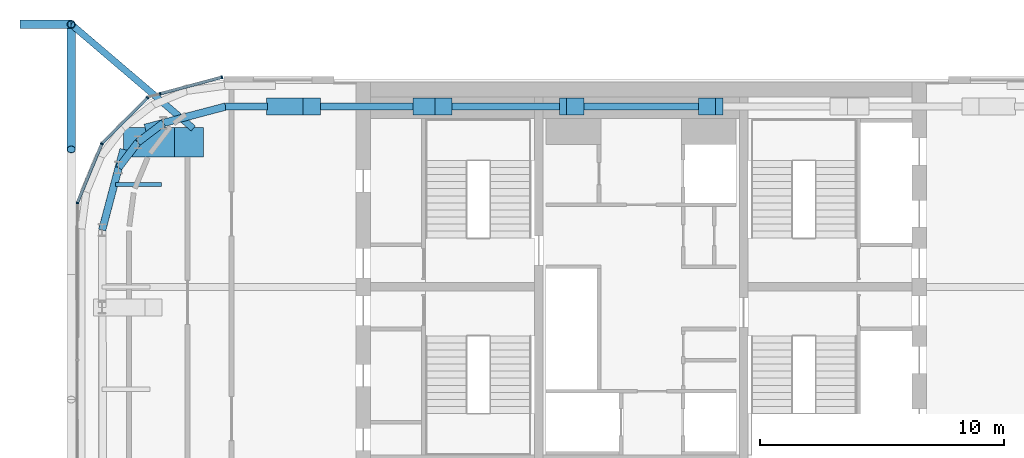
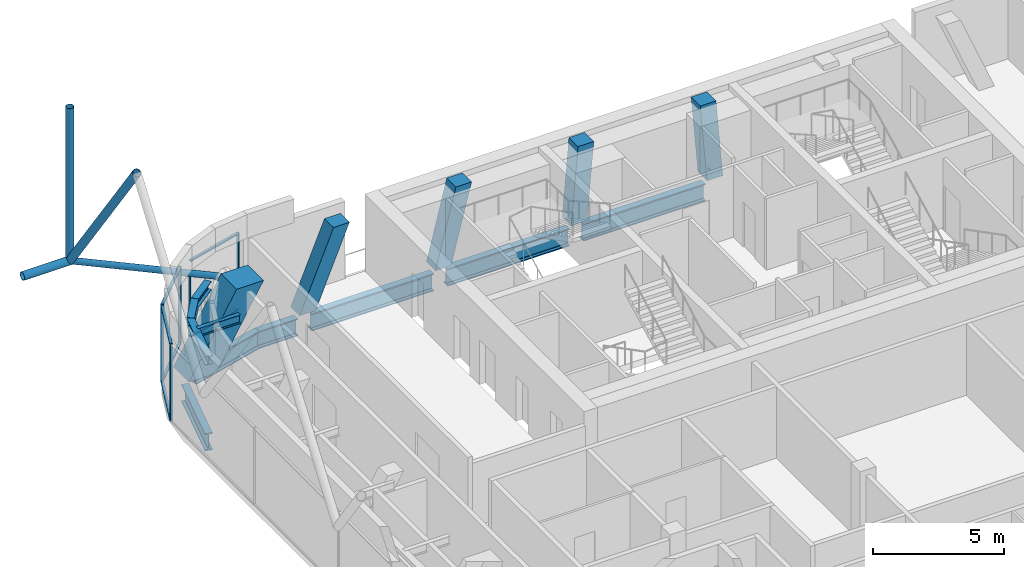
# One storey, part 10 of 25: 20 members, 10 beams, 5 elements without a shape of their own.
"""IFC4 building model written with IfcOpenShell, lengths in metres."""

from ifc_helpers import new_model, si_unit, direction, frame, origin, origin_2d, place, context, subcontext, project, spatial, rectangle, hollow_circle, i_section, extrude, material, layer, layer_set, material_profile, profile_set, type_object, element, aggregate, save


model = new_model("IFC4")

# Units and contexts
model_context = context("Model", 3, precision=1e-05, world=origin(), true_north=direction((0.0, 1.0)))
body_context = subcontext(model_context, "Body", "Model", "MODEL_VIEW")
ifc_project = project(units=[si_unit("LENGTHUNIT", "METRE"), si_unit("AREAUNIT", "SQUARE_METRE"), si_unit("VOLUMEUNIT", "CUBIC_METRE"), si_unit("PLANEANGLEUNIT", "RADIAN"), si_unit("MASSUNIT", "GRAM", prefix="KILO")], contexts=[model_context])

# Site, building, storey
site_placement = place(None, origin())
site = spatial("IfcSite", under=ifc_project, at=site_placement, CompositionType="ELEMENT")
building_placement = place(site_placement, origin())
building = spatial("IfcBuilding", under=site, at=building_placement, Name="Marenta Gate Hotel Tower", CompositionType="ELEMENT")
storey_placement = place(building_placement, frame((0.0, 0.0, 277.699951171875)))
storey = spatial("IfcBuildingStorey", under=building, at=storey_placement, Name="L64", CompositionType="ELEMENT", Elevation=277.699951171875)

# Members
ifc_material_1 = material(Name="Steel S355J2W", Category="steel")
ifc_material_profile_1 = material_profile(ifc_material_1, hollow_circle(Radius=0.161865234375, WallThickness=0.012451171875, at=origin_2d()), Name="CHS 323.9x12.5")
ifc_profile_set_1 = profile_set([ifc_material_profile_1], Name="Steel S355J2W")
member_type_1 = type_object("IfcMemberType", Name="Diagrid corner post C CHS 323.9x12.5", PredefinedType="POST", material=ifc_profile_set_1)
member_1_placement = place(storey_placement, frame((-23.3701171875, 19.169921875, 3.14013671875), z_axis=(0.0, 0.0, 1.0), x_axis=(1.0, 0.0, 0.0)))
element("IfcMember", 1, at=member_1_placement, inside=storey, type_object=member_type_1, Name="L64-DR-12", PredefinedType="POST", context=body_context, shape_type="SweptSolid", body=[
    extrude(hollow_circle(Radius=0.161865234375, WallThickness=0.012451171875, at=origin_2d()), origin(), (0.0, 0.0, 1.0), 7.199951171875),
])
ifc_material_2 = material(Name="Steel S355J2W", Category="steel")
ifc_material_profile_2 = material_profile(ifc_material_2, hollow_circle(Radius=0.177734375, WallThickness=0.01611328125, at=origin_2d()), Name="CHS 355.6x16")
ifc_profile_set_2 = profile_set([ifc_material_profile_2], Name="Steel S355J2W")
member_type_2 = type_object("IfcMemberType", Name="Diagrid diagonal C CHS 355.6x16", PredefinedType="BRACE", material=ifc_profile_set_2)
member_2_placement = place(storey_placement, frame((-23.3701171875, 19.169921875, 3.14013671875), z_axis=(0.0, -0.580213650922, 0.81446431431), x_axis=(1.0, 0.0, 0.0)))
element("IfcMember", 2, at=member_2_placement, inside=storey, type_object=member_type_2, Name="L64-DG-34", PredefinedType="BRACE", context=body_context, shape_type="SweptSolid", body=[
    extrude(hollow_circle(Radius=0.177734375, WallThickness=0.01611328125, at=origin_2d()), origin(), (0.0, 0.0, 1.0), 8.840087890625),
])

# Beams
ifc_material_3 = material(Name="Steel S355", Category="steel")
ifc_material_profile_3 = material_profile(ifc_material_3, i_section(OverallWidth=0.302978515625, OverallDepth=0.81396484375, WebThickness=0.030029296875, FlangeThickness=0.052001953125, FilletRadius=0.030029296875, at=origin_2d()), Name="HEM 800")
ifc_profile_set_3 = profile_set([ifc_material_profile_3], Name="Steel S355")
beam_type_1 = type_object("IfcBeamType", Name="Edge beam HEM 800", PredefinedType="SPANDREL", material=ifc_profile_set_3)
for number, where, z_axis, x_axis, name in (
    (3, (-22.10009765625, 10.734375, -0.6669921875), (0.255659169039, 0.966766977759, 0.0), (-0.966766977759, 0.255659169039, 0.0), "L64-EB-11"),
    (4, (-20.34228515625, 14.92529296875, -0.6669921875), (0.966766977759, 0.255659169039, 0.0), (-0.255659169039, 0.966766977759, 0.0), "L64-EB-12"),
):
    element("IfcBeam", number, at=place(storey_placement, frame(where, z_axis=z_axis, x_axis=x_axis)), inside=storey, type_object=beam_type_1, Name=name, PredefinedType="SPANDREL", context=body_context, shape_type="SweptSolid", body=[
        extrude(i_section(OverallWidth=0.302978515625, OverallDepth=0.81396484375, WebThickness=0.030029296875, FlangeThickness=0.052001953125, FilletRadius=0.030029296875, at=origin_2d()), origin(), (0.0, 0.0, 1.0), 3.421630859375),
    ])
beam_1_placement = place(storey_placement, frame((-17.034423828125, 15.800048828125, -0.6669921875), z_axis=(1.0, 0.0, 0.0), x_axis=(0.0, 1.0, 0.0)))
element("IfcBeam", 5, at=beam_1_placement, inside=storey, type_object=beam_type_1, Name="L64-EB-13", PredefinedType="SPANDREL", context=body_context, shape_type="SweptSolid", body=[
    extrude(i_section(OverallWidth=0.302978515625, OverallDepth=0.81396484375, WebThickness=0.030029296875, FlangeThickness=0.052001953125, FilletRadius=0.030029296875, at=origin_2d()), origin(), (0.0, 0.0, 1.0), 1.717529296875),
])
for number, where, z_axis, x_axis, name in (
    (6, (-14.697021484375, 15.800048828125, -0.6669921875), (1.0, 0.0, 0.0), (0.0, 1.0, 0.0), "L64-EB-14"),
    (7, (-8.694091796875, 15.800048828125, -0.6669921875), (1.0, 0.0, 0.0), (0.0, 1.0, 0.0), "L64-EB-15"),
    (8, (-2.69140625, 15.800048828125, -0.6669921875), (1.0, 0.0, 0.0), (0.0, 1.0, 0.0), "L64-EB-16"),
):
    element("IfcBeam", number, at=place(storey_placement, frame(where, z_axis=z_axis, x_axis=x_axis)), inside=storey, type_object=beam_type_1, Name=name, PredefinedType="SPANDREL", context=body_context, shape_type="SweptSolid", body=[
        extrude(i_section(OverallWidth=0.302978515625, OverallDepth=0.81396484375, WebThickness=0.030029296875, FlangeThickness=0.052001953125, FilletRadius=0.030029296875, at=origin_2d()), origin(), (0.0, 0.0, 1.0), 5.3828125),
    ])

# Members
ifc_material_4 = material(Name="Concrete C50", Category="concrete")
ifc_material_profile_4 = material_profile(ifc_material_4, rectangle(XDim=0.699951171875, YDim=0.699951171875, at=origin_2d()), Name="700 x 700")
ifc_profile_set_4 = profile_set([ifc_material_profile_4], Name="Concrete C50")
member_type_3 = type_object("IfcMemberType", Name="Edge column raked 700 x 700 C50", PredefinedType="STRUT", material=ifc_profile_set_4)
member_3_placement = place(storey_placement, frame((-15.0068359375, 15.800048828125, 0.0), z_axis=(0.0, 0.0, 1.0), x_axis=(1.0, 0.0, 0.0)))
element("IfcMember", 9, at=member_3_placement, inside=storey, type_object=member_type_3, Name="L64-EC-NW-NE-1", PredefinedType="STRUT", context=body_context, shape_type="SweptSolid", body=[
    extrude(rectangle(XDim=0.699951171875, YDim=0.699951171875, at=origin_2d()), origin(), (0.384606494839, 0.0, 0.9230806271), 3.900146484375),
])
member_4_placement = place(storey_placement, frame((-9.004150390625, 15.800048828125, 0.0), z_axis=(0.0, 0.0, 1.0), x_axis=(1.0, 0.0, 0.0)))
element("IfcMember", 10, at=member_4_placement, inside=storey, type_object=member_type_3, Name="L64-EC-NW-NE-2", PredefinedType="STRUT", context=body_context, shape_type="SweptSolid", body=[
    extrude(rectangle(XDim=0.699951171875, YDim=0.699951171875, at=origin_2d()), origin(), (0.242566584767, 0.0, 0.970134759688), 3.7109375),
])
member_5_placement = place(storey_placement, frame((-3.00146484375, 15.800048828125, 0.0), z_axis=(0.0, 0.0, 1.0), x_axis=(1.0, 0.0, 0.0)))
element("IfcMember", 11, at=member_5_placement, inside=storey, type_object=member_type_3, Name="L64-EC-NW-NE-3", PredefinedType="STRUT", context=body_context, shape_type="SweptSolid", body=[
    extrude(rectangle(XDim=0.699951171875, YDim=0.699951171875, at=origin_2d()), origin(), (0.083056665618, 0.0, 0.996544826035), 3.612548828125),
])
member_6_placement = place(storey_placement, frame((3.00146484375, 15.800048828125, 0.0), z_axis=(0.0, 0.0, 1.0), x_axis=(1.0, 0.0, 0.0)))
element("IfcMember", 12, at=member_6_placement, inside=storey, type_object=member_type_3, Name="L64-EC-NW-NE-4", PredefinedType="STRUT", context=body_context, shape_type="SweptSolid", body=[
    extrude(rectangle(XDim=0.699951171875, YDim=0.699951171875, at=origin_2d()), origin(), (-0.083056665618, 0.0, 0.996544826035), 3.612548828125),
])
ifc_material_5 = material(Name="Steel S355J2W", Category="steel")
ifc_material_profile_5 = material_profile(ifc_material_5, hollow_circle(Radius=0.136474609375, WallThickness=0.012451171875, at=origin_2d()), Name="CHS 273x12.5")
ifc_profile_set_5 = profile_set([ifc_material_profile_5], Name="Steel S355J2W")
member_type_4 = type_object("IfcMemberType", Name="Floor tie CHS 273x12.5", PredefinedType="STRUT", material=ifc_profile_set_5)
member_7_placement = place(storey_placement, frame((-23.3701171875, 19.169921875, 3.14013671875), z_axis=(0.760734272891, -0.649063453022, 0.0), x_axis=(0.649063453022, 0.760734272891, 0.0)))
element("IfcMember", 13, at=member_7_placement, inside=storey, type_object=member_type_4, Name="L64-DR-18", PredefinedType="STRUT", context=body_context, shape_type="SweptSolid", body=[
    extrude(hollow_circle(Radius=0.136474609375, WallThickness=0.012451171875, at=origin_2d()), origin(), (0.0, 0.0, 1.0), 6.58056640625),
])
ifc_material_6 = material(Name="Concrete C50", Category="concrete")
ifc_material_profile_6 = material_profile(ifc_material_6, rectangle(XDim=1.199951171875, YDim=1.199951171875, at=origin_2d()), Name="1200 x 1200")
ifc_profile_set_6 = profile_set([ifc_material_profile_6], Name="Concrete C50")
member_type_5 = type_object("IfcMemberType", Name="Mega column raked 1200 x 1200 C50", PredefinedType="STRUT", material=ifc_profile_set_6)
member_8_placement = place(storey_placement, frame((-20.635498046875, 14.33544921875, 0.0), z_axis=(0.0, 0.0, 1.0), x_axis=(1.0, 0.0, 0.0)))
element("IfcMember", 14, at=member_8_placement, inside=storey, type_object=member_type_5, Name="L64-MC-NW", PredefinedType="STRUT", context=body_context, shape_type="SweptSolid", body=[
    extrude(rectangle(XDim=1.199951171875, YDim=1.199951171875, at=origin_2d()), origin(), (0.503878309678, 0.0, 0.863774651768), 4.16796875),
])

# Curtain wall, member
ifc_material_7 = material(Name="Tinted insulated glass in bronze anodised frame", Category="glass")
ifc_layer = layer(ifc_material_7, 0.1201171875)
ifc_layer_set = layer_set([ifc_layer], Name="Tinted insulated glass in bronze anodised frame")
curtain_wall_type = type_object("IfcCurtainWallType", Name="Tower unitised curtain wall CW1", PredefinedType="NOTDEFINED", material=ifc_layer_set)
curtain_wall_1_placement = place(storey_placement, origin())
curtain_wall_1 = element("IfcCurtainWall", 15, at=curtain_wall_1_placement, inside=storey, type_object=curtain_wall_type, Name="CW1 run G00", PredefinedType="NOTDEFINED")
ifc_material_8 = material(Name="Bronze anodised aluminium", Category="aluminium")
ifc_material_profile_7 = material_profile(ifc_material_8, rectangle(XDim=0.1201171875, YDim=0.06005859375, at=origin_2d()), Name="Mullion CW1 60x120 bronze anodised aluminium")
ifc_profile_set_7 = profile_set([ifc_material_profile_7], Name="Bronze anodised aluminium")
member_type_6 = type_object("IfcMemberType", Name="Mullion CW1 60x120 bronze anodised aluminium", PredefinedType="MULLION", material=ifc_profile_set_7)
member_9_placement = place(storey_placement, frame((-17.185546875, 17.003173828125, 0.0), z_axis=(0.0, 0.0, 1.0), x_axis=(0.258795074592, -0.965932248849, 0.0)))
member_9 = element("IfcMember", 16, at=member_9_placement, type_object=member_type_6, Name="CW1 mullion 1", PredefinedType="MULLION", context=body_context, shape_type="SweptSolid", body=[
    extrude(rectangle(XDim=0.1201171875, YDim=0.06005859375, at=origin_2d()), origin(), (0.0, 0.0, 1.0), 3.60009765625),
])

curtain_wall_2_placement = place(storey_placement, origin())
curtain_wall_2 = element("IfcCurtainWall", 17, at=curtain_wall_2_placement, inside=storey, type_object=curtain_wall_type, Name="CW1 run G01", PredefinedType="NOTDEFINED")
member_10_placement = place(storey_placement, frame((-19.72265625, 16.323486328125, 0.0), z_axis=(0.0, 0.0, 1.0), x_axis=(0.258832194776, -0.965922302749, 0.0)))
member_10 = element("IfcMember", 18, at=member_10_placement, type_object=member_type_6, Name="CW1 mullion 1", PredefinedType="MULLION", context=body_context, shape_type="SweptSolid", body=[
    extrude(rectangle(XDim=0.1201171875, YDim=0.06005859375, at=origin_2d()), origin(), (0.0, 0.0, 1.0), 3.00048828125),
])
aggregate(curtain_wall_2, [member_10])

curtain_wall_3_placement = place(storey_placement, origin())
curtain_wall_3 = element("IfcCurtainWall", 19, at=curtain_wall_3_placement, inside=storey, type_object=curtain_wall_type, Name="CW1 run G02", PredefinedType="NOTDEFINED")
member_11_placement = place(storey_placement, frame((-20.241455078125, 16.16357421875, 0.0), z_axis=(0.0, 0.0, 1.0), x_axis=(0.707106781187, -0.707106781187, 0.0)))
member_11 = element("IfcMember", 20, at=member_11_placement, type_object=member_type_6, Name="CW1 mullion 1", PredefinedType="MULLION", context=body_context, shape_type="SweptSolid", body=[
    extrude(rectangle(XDim=0.1201171875, YDim=0.06005859375, at=origin_2d()), origin(), (0.0, 0.0, 1.0), 3.60009765625),
])

curtain_wall_4_placement = place(storey_placement, origin())
curtain_wall_4 = element("IfcCurtainWall", 21, at=curtain_wall_4_placement, inside=storey, type_object=curtain_wall_type, Name="CW1 run G03", PredefinedType="NOTDEFINED")
member_12_placement = place(storey_placement, frame((-22.115234375, 14.273681640625, 0.0), z_axis=(0.0, 0.0, 1.0), x_axis=(0.923886433266, -0.382666772044, 0.0)))
member_12 = element("IfcMember", 22, at=member_12_placement, type_object=member_type_6, Name="CW1 mullion 1", PredefinedType="MULLION", context=body_context, shape_type="SweptSolid", body=[
    extrude(rectangle(XDim=0.1201171875, YDim=0.06005859375, at=origin_2d()), origin(), (0.0, 0.0, 1.0), 3.60009765625),
])

curtain_wall_5_placement = place(storey_placement, origin())
curtain_wall_5 = element("IfcCurtainWall", 23, at=curtain_wall_5_placement, inside=storey, type_object=curtain_wall_type, Name="CW1 run G04", PredefinedType="NOTDEFINED")
member_13_placement = place(storey_placement, frame((-23.1123046875, 11.836181640625, 0.0), z_axis=(0.0, 0.0, 1.0), x_axis=(0.99999877375, -0.001566045546, 0.0)))
member_13 = element("IfcMember", 24, at=member_13_placement, type_object=member_type_6, Name="CW1 mullion 1", PredefinedType="MULLION", context=body_context, shape_type="SweptSolid", body=[
    extrude(rectangle(XDim=0.1201171875, YDim=0.06005859375, at=origin_2d()), origin(), (0.0, 0.0, 1.0), 3.60009765625),
])
aggregate(curtain_wall_5, [member_13])

# Member
ifc_material_9 = material(Name="Steel S355J2W", Category="steel")
ifc_material_profile_8 = material_profile(ifc_material_9, hollow_circle(Radius=0.177734375, WallThickness=0.01611328125, at=origin_2d()), Name="CHS 355.6x16")
ifc_profile_set_8 = profile_set([ifc_material_profile_8], Name="Steel S355J2W")
member_type_7 = type_object("IfcMemberType", Name="Setback strut CHS 355.6x16", PredefinedType="STRUT", material=ifc_profile_set_8)
member_14_placement = place(storey_placement, frame((-25.469970703125, 19.169921875, 3.14013671875), z_axis=(1.0, 0.0, 0.0), x_axis=(0.0, 1.0, 0.0)))
element("IfcMember", 25, at=member_14_placement, inside=storey, type_object=member_type_7, Name="L64-DR-6", PredefinedType="STRUT", context=body_context, shape_type="SweptSolid", body=[
    extrude(hollow_circle(Radius=0.177734375, WallThickness=0.01611328125, at=origin_2d()), origin(), (0.0, 0.0, 1.0), 2.099853515625),
])

# Beams
ifc_material_10 = material(Name="Steel S355", Category="steel")
ifc_material_profile_9 = material_profile(ifc_material_10, i_section(OverallWidth=0.179931640625, OverallDepth=0.39990234375, WebThickness=0.008544921875, FlangeThickness=0.013427734375, FilletRadius=0.02099609375, at=origin_2d()), Name="IPE 400")
ifc_profile_set_9 = profile_set([ifc_material_profile_9], Name="Steel S355")
beam_type_2 = type_object("IfcBeamType", Name="Terrace beam IPE 400", PredefinedType="JOIST", material=ifc_profile_set_9)
beam_2_placement = place(storey_placement, frame((-21.54736328125, 12.60009765625, 3.14013671875), z_axis=(1.0, 0.0, 0.0), x_axis=(0.0, 1.0, 0.0)))
element("IfcBeam", 26, at=beam_2_placement, inside=storey, type_object=beam_type_2, Name="L64-TB-20", PredefinedType="JOIST", context=body_context, shape_type="SweptSolid", body=[
    extrude(i_section(OverallWidth=0.179931640625, OverallDepth=0.39990234375, WebThickness=0.008544921875, FlangeThickness=0.013427734375, FilletRadius=0.02099609375, at=origin_2d()), origin(), (0.0, 0.0, 1.0), 1.884521484375),
])
ifc_material_11 = material(Name="Steel S355", Category="steel")
ifc_material_profile_10 = material_profile(ifc_material_11, i_section(OverallWidth=0.300048828125, OverallDepth=0.39990234375, WebThickness=0.013427734375, FlangeThickness=0.02392578125, FilletRadius=0.027099609375, at=origin_2d()), Name="HEB 400")
ifc_profile_set_10 = profile_set([ifc_material_profile_10], Name="Steel S355")
beam_type_3 = type_object("IfcBeamType", Name="Terrace edge beam HEB 400", PredefinedType="SPANDREL", material=ifc_profile_set_10)
beam_3_placement = place(storey_placement, frame((-22.10009765625, 10.734375, 3.14013671875), z_axis=(0.255717790409, 0.96675147358, 0.0), x_axis=(-0.96675147358, 0.255717790409, 0.0)))
element("IfcBeam", 27, at=beam_3_placement, inside=storey, type_object=beam_type_3, Name="L64-TE-11", PredefinedType="SPANDREL", context=body_context, shape_type="SweptSolid", body=[
    extrude(i_section(OverallWidth=0.300048828125, OverallDepth=0.39990234375, WebThickness=0.013427734375, FlangeThickness=0.02392578125, FilletRadius=0.027099609375, at=origin_2d()), origin(), (0.0, 0.0, 1.0), 2.6494140625),
])
for number, where, z_axis, x_axis, name in (
    (28, (-21.422607421875, 13.295654296875, 3.14013671875), (0.603558484076, 0.79731872943, 0.0), (-0.79731872943, 0.603558484076, 0.0), "L64-TE-12"),
    (29, (-20.635498046875, 14.33544921875, 3.14013671875), (0.797228640923, 0.603677475223, 0.0), (-0.603677475223, 0.797228640923, 0.0), "L64-TE-13"),
):
    element("IfcBeam", number, at=place(storey_placement, frame(where, z_axis=z_axis, x_axis=x_axis)), inside=storey, type_object=beam_type_3, Name=name, PredefinedType="SPANDREL", context=body_context, shape_type="SweptSolid", body=[
        extrude(i_section(OverallWidth=0.300048828125, OverallDepth=0.39990234375, WebThickness=0.013427734375, FlangeThickness=0.02392578125, FilletRadius=0.027099609375, at=origin_2d()), origin(), (0.0, 0.0, 1.0), 1.30419921875),
    ])

# Member
ifc_material_12 = material(Name="Bronze anodised aluminium", Category="aluminium")
ifc_material_profile_11 = material_profile(ifc_material_12, rectangle(XDim=0.1201171875, YDim=0.06005859375, at=origin_2d()), Name="Transom CW1 60x120 bronze anodised aluminium")
ifc_profile_set_11 = profile_set([ifc_material_profile_11], Name="Bronze anodised aluminium")
member_type_8 = type_object("IfcMemberType", Name="Transom CW1 60x120 bronze anodised aluminium", PredefinedType="USERDEFINED", material=ifc_profile_set_11)
member_15_placement = place(storey_placement, frame((-17.21435546875, 16.995361328125, 0.030029296875), z_axis=(-0.965956540591, -0.258704390548, 0.0), x_axis=(0.258704390548, -0.965956540591, 0.0)))
member_15 = element("IfcMember", 30, at=member_15_placement, type_object=member_type_8, Name="CW1 transom 1.1", ObjectType="TRANSOM", PredefinedType="USERDEFINED", context=body_context, shape_type="SweptSolid", body=[
    extrude(rectangle(XDim=0.1201171875, YDim=0.06005859375, at=origin_2d()), origin(), (0.0, 0.0, 1.0), 2.56689453125),
])

member_16_placement = place(storey_placement, frame((-17.21435546875, 16.995361328125, 3.570068359375), z_axis=(-0.965956540591, -0.258704390548, 0.0), x_axis=(0.258704390548, -0.965956540591, 0.0)))
member_16 = element("IfcMember", 31, at=member_16_placement, type_object=member_type_8, Name="CW1 transom 1.2", ObjectType="TRANSOM", PredefinedType="USERDEFINED", context=body_context, shape_type="SweptSolid", body=[
    extrude(rectangle(XDim=0.1201171875, YDim=0.06005859375, at=origin_2d()), origin(), (0.0, 0.0, 1.0), 2.56689453125),
])

aggregate(curtain_wall_1, [member_9, member_15, member_16])

member_17_placement = place(storey_placement, frame((-20.2626953125, 16.142333984375, 0.030029296875), z_axis=(-0.707106781187, -0.707106781187, 0.0), x_axis=(0.707106781187, -0.707106781187, 0.0)))
member_17 = element("IfcMember", 32, at=member_17_placement, type_object=member_type_8, Name="CW1 transom 1.1", ObjectType="TRANSOM", PredefinedType="USERDEFINED", context=body_context, shape_type="SweptSolid", body=[
    extrude(rectangle(XDim=0.1201171875, YDim=0.06005859375, at=origin_2d()), origin(), (0.0, 0.0, 1.0), 2.603759765625),
])

member_18_placement = place(storey_placement, frame((-20.2626953125, 16.142333984375, 3.570068359375), z_axis=(-0.707106781187, -0.707106781187, 0.0), x_axis=(0.707106781187, -0.707106781187, 0.0)))
member_18 = element("IfcMember", 33, at=member_18_placement, type_object=member_type_8, Name="CW1 transom 1.2", ObjectType="TRANSOM", PredefinedType="USERDEFINED", context=body_context, shape_type="SweptSolid", body=[
    extrude(rectangle(XDim=0.1201171875, YDim=0.06005859375, at=origin_2d()), origin(), (0.0, 0.0, 1.0), 2.603759765625),
])

aggregate(curtain_wall_3, [member_11, member_17, member_18])

member_19_placement = place(storey_placement, frame((-22.126708984375, 14.245849609375, 0.030029296875), z_axis=(-0.382655957149, -0.92389091264, 0.0), x_axis=(0.92389091264, -0.382655957149, 0.0)))
member_19 = element("IfcMember", 34, at=member_19_placement, type_object=member_type_8, Name="CW1 transom 1.1", ObjectType="TRANSOM", PredefinedType="USERDEFINED", context=body_context, shape_type="SweptSolid", body=[
    extrude(rectangle(XDim=0.1201171875, YDim=0.06005859375, at=origin_2d()), origin(), (0.0, 0.0, 1.0), 2.57568359375),
])

member_20_placement = place(storey_placement, frame((-22.126708984375, 14.245849609375, 3.570068359375), z_axis=(-0.382655957149, -0.92389091264, 0.0), x_axis=(0.92389091264, -0.382655957149, 0.0)))
member_20 = element("IfcMember", 35, at=member_20_placement, type_object=member_type_8, Name="CW1 transom 1.2", ObjectType="TRANSOM", PredefinedType="USERDEFINED", context=body_context, shape_type="SweptSolid", body=[
    extrude(rectangle(XDim=0.1201171875, YDim=0.06005859375, at=origin_2d()), origin(), (0.0, 0.0, 1.0), 2.57568359375),
])

aggregate(curtain_wall_4, [member_12, member_19, member_20])

save(model, "model.ifc")
